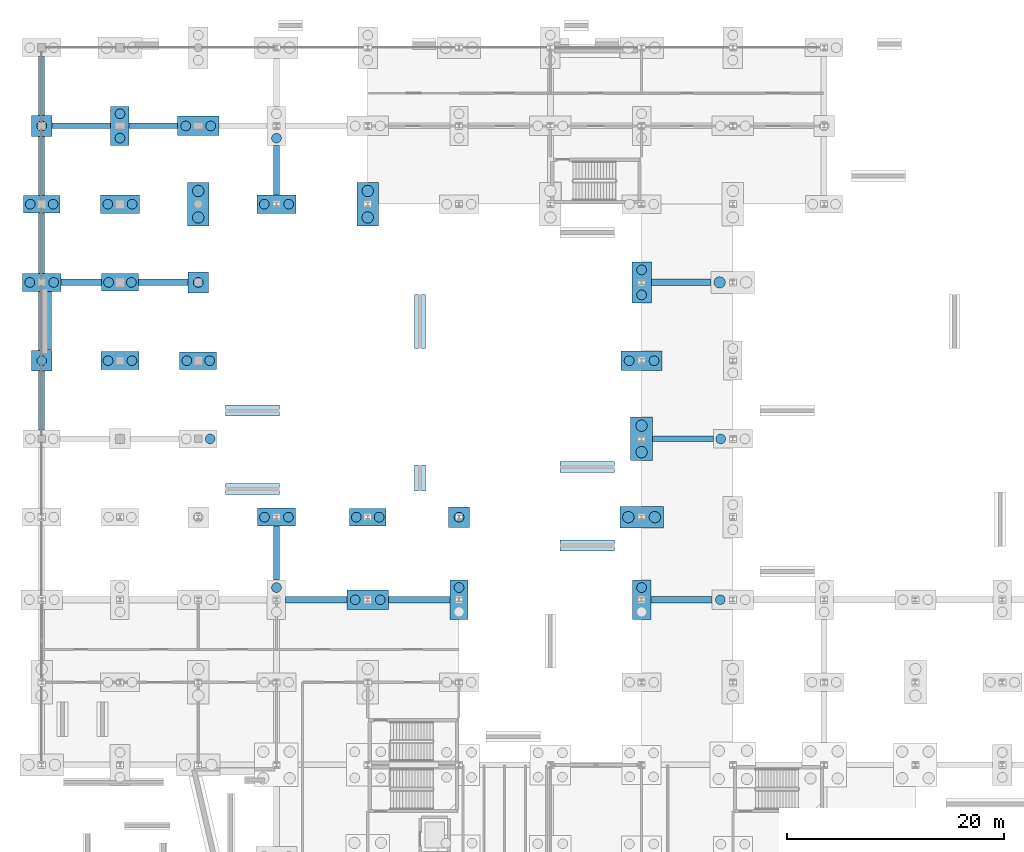
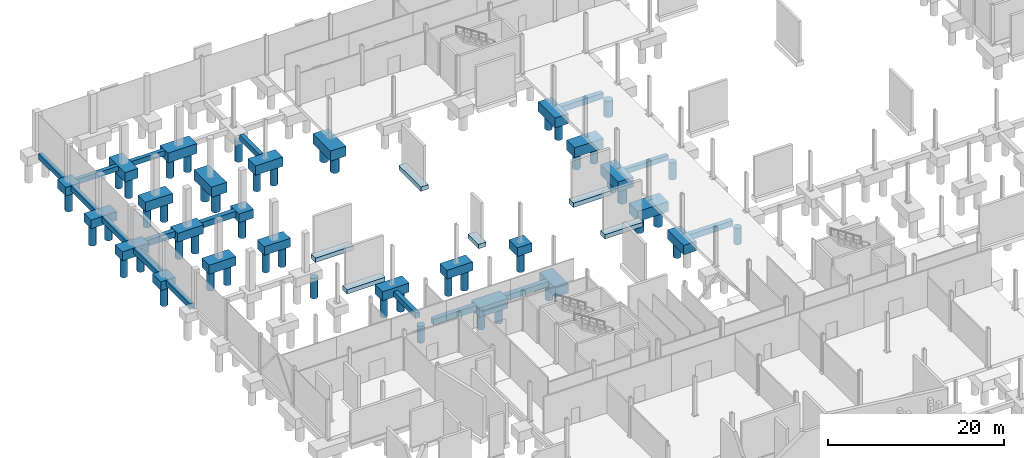
# One storey, part 7 of 61: 48 piles, 47 footings.
"""IFC4 building model written with IfcOpenShell, lengths in metres."""

from ifc_helpers import new_model, si_unit, direction, frame, origin, origin_2d, place, context, subcontext, project, spatial, polyline, rectangle, circle, outline, extrude, material, material_profile, profile_set, type_object, element, save


model = new_model("IFC4")

# Units and contexts
model_context = context("Model", 3, precision=1e-05, world=origin(), true_north=direction((0.0, 1.0)))
body_context = subcontext(model_context, "Body", "Model", "MODEL_VIEW")
ifc_project = project(units=[si_unit("LENGTHUNIT", "METRE"), si_unit("AREAUNIT", "SQUARE_METRE"), si_unit("VOLUMEUNIT", "CUBIC_METRE"), si_unit("PLANEANGLEUNIT", "RADIAN"), si_unit("MASSUNIT", "GRAM", prefix="KILO")], contexts=[model_context])

# Site, building, storey
site_placement = place(None, origin())
site = spatial("IfcSite", under=ifc_project, at=site_placement, CompositionType="ELEMENT")
building_placement = place(site_placement, origin())
building = spatial("IfcBuilding", under=site, at=building_placement, Name="Calvrana Isthmian Art Gallery", CompositionType="ELEMENT")
storey_placement = place(building_placement, frame((0.0, 0.0, -5.39990234375)))
storey = spatial("IfcBuildingStorey", under=building, at=storey_placement, Name="B1", CompositionType="ELEMENT", Elevation=-5.39990234375)

# Footings
ifc_material = material(Name="Concrete C35/45", Category="concrete")
footing_type_1 = type_object("IfcFootingType", Name="FT-PC-170X360X130", PredefinedType="PILE_CAP", material=ifc_material)
for number, where, z_axis, x_axis, name in (
    (1, (7.199951171875, 105.60009765625, -1.30029296875), (0.0, 0.0, 1.0), (1.0, 0.0, 0.0), "Pile cap 02/O"),
    (2, (38.39990234375, 62.0, -1.75), (0.0, 0.0, 1.0), (1.0, 0.0, 0.0), "Pile cap 06/I"),
    (3, (55.199951171875, 62.0, -1.75), (0.0, 0.0, 1.0), (1.0, 0.0, 0.0), "Pile cap 08/I"),
):
    element("IfcFooting", number, at=place(storey_placement, frame(where, z_axis=z_axis, x_axis=x_axis)), inside=storey, type_object=footing_type_1, Name=name, PredefinedType="PILE_CAP", context=body_context, shape_type="SweptSolid", body=[
        extrude(rectangle(XDim=1.699951171875, YDim=3.60009765625, at=origin_2d()), origin(), (0.0, 0.0, 1.0), 1.300048828125),
    ])
footing_type_2 = type_object("IfcFootingType", Name="FT-PC-180X380X135", PredefinedType="PILE_CAP", material=ifc_material)
footing_1_placement = place(storey_placement, frame((55.199951171875, 91.199951171875, -1.800048828125), z_axis=(0.0, 0.0, 1.0), x_axis=(1.0, 0.0, 0.0)))
element("IfcFooting", 4, at=footing_1_placement, inside=storey, type_object=footing_type_2, Name="Pile cap 08/M", PredefinedType="PILE_CAP", context=body_context, shape_type="SweptSolid", body=[
    extrude(rectangle(XDim=1.800048828125, YDim=3.800048828125, at=origin_2d()), origin(), (0.0, 0.0, 1.0), 1.35009765625),
])
footing_type_3 = type_object("IfcFootingType", Name="FT-PC-190X190X120", PredefinedType="PILE_CAP", material=ifc_material)
for number, where, z_axis, x_axis, name in (
    (5, (0.0, 84.0, -1.2001953125), (0.0, 0.0, 1.0), (1.0, 0.0, 0.0), "Pile cap 01/L"),
    (6, (0.0, 105.60009765625, -1.2001953125), (0.0, 0.0, 1.0), (1.0, 0.0, 0.0), "Pile cap 01/O"),
    (7, (14.39990234375, 91.199951171875, -1.2001953125), (0.0, 0.0, 1.0), (1.0, 0.0, 0.0), "Pile cap 03/M"),
    (8, (38.39990234375, 69.60009765625, -1.2001953125), (0.0, 0.0, 1.0), (1.0, 0.0, 0.0), "Pile cap 06/J"),
):
    element("IfcFooting", number, at=place(storey_placement, frame(where, z_axis=z_axis, x_axis=x_axis)), inside=storey, type_object=footing_type_3, Name=name, PredefinedType="PILE_CAP", context=body_context, shape_type="SweptSolid", body=[
        extrude(rectangle(XDim=1.89990234375, YDim=1.89990234375, at=origin_2d()), origin(), (0.0, 0.0, 1.0), 1.199951171875),
    ])
footing_type_4 = type_object("IfcFootingType", Name="FT-PC-200X400X140", PredefinedType="PILE_CAP", material=ifc_material)
for number, where, z_axis, x_axis, name in (
    (9, (14.39990234375, 98.39990234375, -1.400146484375), (0.0, 0.0, 1.0), (1.0, 0.0, 0.0), "Pile cap 03/N"),
    (10, (30.0, 98.39990234375, -1.85009765625), (0.0, 0.0, 1.0), (1.0, 0.0, 0.0), "Pile cap 05/N"),
    (11, (55.199951171875, 76.800048828125, -1.85009765625), (0.0, 0.0, 1.0), (1.0, 0.0, 0.0), "Pile cap 08/K"),
):
    element("IfcFooting", number, at=place(storey_placement, frame(where, z_axis=z_axis, x_axis=x_axis)), inside=storey, type_object=footing_type_4, Name=name, PredefinedType="PILE_CAP", context=body_context, shape_type="SweptSolid", body=[
        extrude(rectangle(XDim=2.0, YDim=4.0, at=origin_2d()), origin(), (0.0, 0.0, 1.0), 1.39990234375),
    ])
footing_type_5 = type_object("IfcFootingType", Name="FT-PC-340X160X120", PredefinedType="PILE_CAP", material=ifc_material)
for number, where, z_axis, x_axis, name in (
    (12, (0.0, 98.39990234375, -1.2001953125), (0.0, 0.0, 1.0), (1.0, 0.0, 0.0), "Pile cap 01/N"),
    (13, (7.199951171875, 91.199951171875, -1.2001953125), (0.0, 0.0, 1.0), (1.0, 0.0, 0.0), "Pile cap 02/M"),
    (14, (14.39990234375, 84.0, -1.2001953125), (0.0, 0.0, 1.0), (1.0, 0.0, 0.0), "Pile cap 03/L"),
    (15, (30.0, 69.60009765625, -1.2001953125), (0.0, 0.0, 1.0), (1.0, 0.0, 0.0), "Pile cap 05/J"),
):
    element("IfcFooting", number, at=place(storey_placement, frame(where, z_axis=z_axis, x_axis=x_axis)), inside=storey, type_object=footing_type_5, Name=name, PredefinedType="PILE_CAP", context=body_context, shape_type="SweptSolid", body=[
        extrude(rectangle(XDim=3.39990234375, YDim=1.60009765625, at=origin_2d()), origin(), (0.0, 0.0, 1.0), 1.199951171875),
    ])
footing_type_6 = type_object("IfcFootingType", Name="FT-PC-350X165X125", PredefinedType="PILE_CAP", material=ifc_material)
for number, where, z_axis, x_axis, name in (
    (16, (0.0, 91.199951171875, -1.25), (0.0, 0.0, 1.0), (1.0, 0.0, 0.0), "Pile cap 01/M"),
    (17, (7.199951171875, 84.0, -1.25), (0.0, 0.0, 1.0), (1.0, 0.0, 0.0), "Pile cap 02/L"),
    (18, (21.60009765625, 69.60009765625, -1.25), (0.0, 0.0, 1.0), (1.0, 0.0, 0.0), "Pile cap 04/J"),
):
    element("IfcFooting", number, at=place(storey_placement, frame(where, z_axis=z_axis, x_axis=x_axis)), inside=storey, type_object=footing_type_6, Name=name, PredefinedType="PILE_CAP", context=body_context, shape_type="SweptSolid", body=[
        extrude(rectangle(XDim=3.5, YDim=1.64990234375, at=origin_2d()), origin(), (0.0, 0.0, 1.0), 1.25),
    ])
footing_type_7 = type_object("IfcFootingType", Name="FT-PC-360X170X130", PredefinedType="PILE_CAP", material=ifc_material)
for number, where, z_axis, x_axis, name in (
    (19, (7.199951171875, 98.39990234375, -1.30029296875), (0.0, 0.0, 1.0), (1.0, 0.0, 0.0), "Pile cap 02/N"),
    (20, (21.60009765625, 98.39990234375, -1.30029296875), (0.0, 0.0, 1.0), (1.0, 0.0, 0.0), "Pile cap 04/N"),
):
    element("IfcFooting", number, at=place(storey_placement, frame(where, z_axis=z_axis, x_axis=x_axis)), inside=storey, type_object=footing_type_7, Name=name, PredefinedType="PILE_CAP", context=body_context, shape_type="SweptSolid", body=[
        extrude(rectangle(XDim=3.60009765625, YDim=1.699951171875, at=origin_2d()), origin(), (0.0, 0.0, 1.0), 1.300048828125),
    ])
footing_type_8 = type_object("IfcFootingType", Name="FT-PC-380X180X135", PredefinedType="PILE_CAP", material=ifc_material)
for number, where, z_axis, x_axis, name in (
    (21, (14.39990234375, 105.60009765625, -1.35009765625), (0.0, 0.0, 1.0), (1.0, 0.0, 0.0), "Pile cap 03/O"),
    (22, (30.0, 62.0, -1.800048828125), (0.0, 0.0, 1.0), (1.0, 0.0, 0.0), "Pile cap 05/I"),
    (23, (55.199951171875, 84.0, -1.800048828125), (0.0, 0.0, 1.0), (1.0, 0.0, 0.0), "Pile cap 08/L"),
):
    element("IfcFooting", number, at=place(storey_placement, frame(where, z_axis=z_axis, x_axis=x_axis)), inside=storey, type_object=footing_type_8, Name=name, PredefinedType="PILE_CAP", context=body_context, shape_type="SweptSolid", body=[
        extrude(rectangle(XDim=3.800048828125, YDim=1.800048828125, at=origin_2d()), origin(), (0.0, 0.0, 1.0), 1.35009765625),
    ])
footing_type_9 = type_object("IfcFootingType", Name="FT-PC-400X200X140", PredefinedType="PILE_CAP", material=ifc_material)
footing_2_placement = place(storey_placement, frame((55.199951171875, 69.60009765625, -1.85009765625), z_axis=(0.0, 0.0, 1.0), x_axis=(1.0, 0.0, 0.0)))
element("IfcFooting", 24, at=footing_2_placement, inside=storey, type_object=footing_type_9, Name="Pile cap 08/J", PredefinedType="PILE_CAP", context=body_context, shape_type="SweptSolid", body=[
    extrude(rectangle(XDim=4.0, YDim=2.0, at=origin_2d()), origin(), (0.0, 0.0, 1.0), 1.39990234375),
])
footing_type_10 = type_object("IfcFootingType", Name="FT-SF-1000X600", PredefinedType="STRIP_FOOTING", material=ifc_material)
footing_3_placement = place(storey_placement, frame((0.0, 0.0, -1.050048828125)))
element("IfcFooting", 25, at=footing_3_placement, inside=storey, type_object=footing_type_10, Name="Apron grade wall SLB_CYD_NC_SW-B strip footing", PredefinedType="STRIP_FOOTING", context=body_context, shape_type="SweptSolid", body=[
    extrude(outline(polyline([(47.699951171875, 66.5), (52.699951171875, 66.5), (52.699951171875, 67.5), (47.699951171875, 67.5), (47.699951171875, 66.5)])), origin(), (0.0, 0.0, 1.0), 0.599853515625),
])
footing_4_placement = place(storey_placement, frame((0.0, 0.0, -1.050048828125)))
element("IfcFooting", 26, at=footing_4_placement, inside=storey, type_object=footing_type_10, Name="Apron grade wall SLB_CYD_NC_MID-A strip footing", PredefinedType="STRIP_FOOTING", context=body_context, shape_type="SweptSolid", body=[
    extrude(outline(polyline([(16.89990234375, 71.699951171875), (21.89990234375, 71.699951171875), (21.89990234375, 72.699951171875), (16.89990234375, 72.699951171875), (16.89990234375, 71.699951171875)])), origin(), (0.0, 0.0, 1.0), 0.599853515625),
])
footing_5_placement = place(storey_placement, frame((0.0, 0.0, -1.050048828125)))
element("IfcFooting", 27, at=footing_5_placement, inside=storey, type_object=footing_type_10, Name="Apron grade wall SLB_CYD_NC_MID-B strip footing", PredefinedType="STRIP_FOOTING", context=body_context, shape_type="SweptSolid", body=[
    extrude(outline(polyline([(47.699951171875, 73.699951171875), (52.699951171875, 73.699951171875), (52.699951171875, 74.699951171875), (47.699951171875, 74.699951171875), (47.699951171875, 73.699951171875)])), origin(), (0.0, 0.0, 1.0), 0.599853515625),
])
footing_6_placement = place(storey_placement, frame((0.0, 0.0, -1.050048828125)))
element("IfcFooting", 28, at=footing_6_placement, inside=storey, type_object=footing_type_10, Name="Apron grade wall SLB_CYD_NC_MID-C strip footing", PredefinedType="STRIP_FOOTING", context=body_context, shape_type="SweptSolid", body=[
    extrude(outline(polyline([(35.300048828125, 72.0), (35.300048828125, 74.39990234375), (34.300048828125, 74.39990234375), (34.300048828125, 72.0), (35.300048828125, 72.0)])), origin(), (0.0, 0.0, 1.0), 0.599853515625),
])
footing_7_placement = place(storey_placement, frame((0.0, 0.0, -1.050048828125)))
element("IfcFooting", 29, at=footing_7_placement, inside=storey, type_object=footing_type_10, Name="Apron grade wall SLB_APR_NWCOURT-A strip footing", PredefinedType="STRIP_FOOTING", context=body_context, shape_type="SweptSolid", body=[
    extrude(outline(polyline([(16.89990234375, 78.89990234375), (21.89990234375, 78.89990234375), (21.89990234375, 79.89990234375), (16.89990234375, 79.89990234375), (16.89990234375, 78.89990234375)])), origin(), (0.0, 0.0, 1.0), 0.599853515625),
])
footing_8_placement = place(storey_placement, frame((0.0, 0.0, -1.050048828125)))
element("IfcFooting", 30, at=footing_8_placement, inside=storey, type_object=footing_type_10, Name="Apron grade wall SLB_APR_NWCOURT-C strip footing", PredefinedType="STRIP_FOOTING", context=body_context, shape_type="SweptSolid", body=[
    extrude(outline(polyline([(35.300048828125, 85.10009765625), (35.300048828125, 90.10009765625), (34.300048828125, 90.10009765625), (34.300048828125, 85.10009765625), (35.300048828125, 85.10009765625)])), origin(), (0.0, 0.0, 1.0), 0.599853515625),
])
footing_type_11 = type_object("IfcFootingType", Name="FT-SF-1200X650", PredefinedType="STRIP_FOOTING", material=ifc_material)
footing_9_placement = place(storey_placement, frame((0.0, 0.0, -1.10009765625)))
element("IfcFooting", 31, at=footing_9_placement, inside=storey, type_object=footing_type_11, Name="Hillside plinth retaining wall RW_B1_WEST_N strip footing", PredefinedType="STRIP_FOOTING", context=body_context, shape_type="SweptSolid", body=[
    extrude(outline(polyline([(0.2900390625, 84.965087890625), (0.2900390625, 90.360107421875), (0.89990234375, 90.360107421875), (0.89990234375, 84.965087890625), (0.2900390625, 84.965087890625)])), origin(), (0.0, 0.0, 1.0), 0.64990234375),
])
footing_type_12 = type_object("IfcFootingType", Name="FT-TB-500X700", PredefinedType="FOOTING_BEAM", material=ifc_material)
footing_10_placement = place(storey_placement, frame((0.0, 0.0, -0.7001953125)))
element("IfcFooting", 32, at=footing_10_placement, inside=storey, type_object=footing_type_12, Name="Footing tie beam X 00-14", PredefinedType="FOOTING_BEAM", context=body_context, shape_type="SweptSolid", body=[
    extrude(outline(polyline([(0.949951171875, 105.35009765625), (6.35009765625, 105.35009765625), (6.35009765625, 105.85009765625), (0.949951171875, 105.85009765625), (0.949951171875, 105.35009765625)])), origin(), (0.0, 0.0, 1.0), 0.7001953125),
])
footing_11_placement = place(storey_placement, frame((0.0, 0.0, -0.7001953125)))
element("IfcFooting", 33, at=footing_11_placement, inside=storey, type_object=footing_type_12, Name="Footing tie beam X 01-14", PredefinedType="FOOTING_BEAM", context=body_context, shape_type="SweptSolid", body=[
    extrude(outline(polyline([(8.050048828125, 105.35009765625), (12.5, 105.35009765625), (12.5, 105.85009765625), (8.050048828125, 105.85009765625), (8.050048828125, 105.35009765625)])), origin(), (0.0, 0.0, 1.0), 0.7001953125),
])
footing_12_placement = place(storey_placement, frame((0.0, 0.0, -1.150146484375)))
element("IfcFooting", 34, at=footing_12_placement, inside=storey, type_object=footing_type_12, Name="Footing tie beam X 07-10", PredefinedType="FOOTING_BEAM", context=body_context, shape_type="SweptSolid", body=[
    extrude(outline(polyline([(56.199951171875, 76.550048828125), (61.800048828125, 76.550048828125), (61.800048828125, 77.050048828125), (56.199951171875, 77.050048828125), (56.199951171875, 76.550048828125)])), origin(), (0.0, 0.0, 1.0), 0.699951171875),
])
footing_type_13 = type_object("IfcFootingType", Name="FT-TB-550X750", PredefinedType="FOOTING_BEAM", material=ifc_material)
footing_13_placement = place(storey_placement, frame((0.0, 0.0, -0.75)))
element("IfcFooting", 35, at=footing_13_placement, inside=storey, type_object=footing_type_13, Name="Footing tie beam Y 00-10", PredefinedType="FOOTING_BEAM", context=body_context, shape_type="SweptSolid", body=[
    extrude(outline(polyline([(-0.27490234375, 77.60009765625), (0.27490234375, 77.60009765625), (0.27490234375, 83.050048828125), (-0.27490234375, 83.050048828125), (-0.27490234375, 77.60009765625)])), origin(), (0.0, 0.0, 1.0), 0.75),
])
footing_14_placement = place(storey_placement, frame((0.0, 0.0, -0.75)))
element("IfcFooting", 36, at=footing_14_placement, inside=storey, type_object=footing_type_13, Name="Footing tie beam Y 00-11", PredefinedType="FOOTING_BEAM", context=body_context, shape_type="SweptSolid", body=[
    extrude(outline(polyline([(-0.27490234375, 84.949951171875), (0.27490234375, 84.949951171875), (0.27490234375, 90.375), (-0.27490234375, 90.375), (-0.27490234375, 84.949951171875)])), origin(), (0.0, 0.0, 1.0), 0.75),
])
footing_15_placement = place(storey_placement, frame((0.0, 0.0, -0.75)))
element("IfcFooting", 37, at=footing_15_placement, inside=storey, type_object=footing_type_13, Name="Footing tie beam Y 00-12", PredefinedType="FOOTING_BEAM", context=body_context, shape_type="SweptSolid", body=[
    extrude(outline(polyline([(-0.27490234375, 92.02490234375), (0.27490234375, 92.02490234375), (0.27490234375, 97.60009765625), (-0.27490234375, 97.60009765625), (-0.27490234375, 92.02490234375)])), origin(), (0.0, 0.0, 1.0), 0.75),
])
footing_16_placement = place(storey_placement, frame((0.0, 0.0, -0.75)))
element("IfcFooting", 38, at=footing_16_placement, inside=storey, type_object=footing_type_13, Name="Footing tie beam Y 00-13", PredefinedType="FOOTING_BEAM", context=body_context, shape_type="SweptSolid", body=[
    extrude(outline(polyline([(-0.27490234375, 99.199951171875), (0.27490234375, 99.199951171875), (0.27490234375, 104.64990234375), (-0.27490234375, 104.64990234375), (-0.27490234375, 99.199951171875)])), origin(), (0.0, 0.0, 1.0), 0.75),
])
footing_17_placement = place(storey_placement, frame((0.0, 0.0, -0.75)))
element("IfcFooting", 39, at=footing_17_placement, inside=storey, type_object=footing_type_13, Name="Footing tie beam Y 00-14", PredefinedType="FOOTING_BEAM", context=body_context, shape_type="SweptSolid", body=[
    extrude(outline(polyline([(-0.27490234375, 106.550048828125), (0.27490234375, 106.550048828125), (0.27490234375, 111.97509765625), (-0.27490234375, 111.97509765625), (-0.27490234375, 106.550048828125)])), origin(), (0.0, 0.0, 1.0), 0.75),
])
footing_18_placement = place(storey_placement, frame((0.0, 0.0, -1.2001953125)))
element("IfcFooting", 40, at=footing_18_placement, inside=storey, type_object=footing_type_13, Name="Footing tie beam Y 03-08", PredefinedType="FOOTING_BEAM", context=body_context, shape_type="SweptSolid", body=[
    extrude(outline(polyline([(21.324951171875, 63.800048828125), (21.875, 63.800048828125), (21.875, 68.77490234375), (21.324951171875, 68.77490234375), (21.324951171875, 63.800048828125)])), origin(), (0.0, 0.0, 1.0), 0.75),
])
footing_19_placement = place(storey_placement, frame((0.0, 0.0, -0.75)))
element("IfcFooting", 41, at=footing_19_placement, inside=storey, type_object=footing_type_13, Name="Footing tie beam Y 03-13", PredefinedType="FOOTING_BEAM", context=body_context, shape_type="SweptSolid", body=[
    extrude(outline(polyline([(21.324951171875, 99.25), (21.875, 99.25), (21.875, 103.800048828125), (21.324951171875, 103.800048828125), (21.324951171875, 99.25)])), origin(), (0.0, 0.0, 1.0), 0.75),
])
footing_type_14 = type_object("IfcFootingType", Name="FT-TB-600X800", PredefinedType="FOOTING_BEAM", material=ifc_material)
footing_20_placement = place(storey_placement, frame((0.0, 0.0, -0.800048828125)))
element("IfcFooting", 42, at=footing_20_placement, inside=storey, type_object=footing_type_14, Name="Footing tie beam X 00-12", PredefinedType="FOOTING_BEAM", context=body_context, shape_type="SweptSolid", body=[
    extrude(outline(polyline([(1.75, 90.89990234375), (5.5, 90.89990234375), (5.5, 91.5), (1.75, 91.5), (1.75, 90.89990234375)])), origin(), (0.0, 0.0, 1.0), 0.800048828125),
])
footing_21_placement = place(storey_placement, frame((0.0, 0.0, -0.800048828125)))
element("IfcFooting", 43, at=footing_21_placement, inside=storey, type_object=footing_type_14, Name="Footing tie beam X 01-12", PredefinedType="FOOTING_BEAM", context=body_context, shape_type="SweptSolid", body=[
    extrude(outline(polyline([(8.89990234375, 90.89990234375), (13.449951171875, 90.89990234375), (13.449951171875, 91.5), (8.89990234375, 91.5), (8.89990234375, 90.89990234375)])), origin(), (0.0, 0.0, 1.0), 0.800048828125),
])
footing_22_placement = place(storey_placement, frame((0.0, 0.0, -1.25)))
element("IfcFooting", 44, at=footing_22_placement, inside=storey, type_object=footing_type_14, Name="Footing tie beam X 03-08", PredefinedType="FOOTING_BEAM", context=body_context, shape_type="SweptSolid", body=[
    extrude(outline(polyline([(22.449951171875, 61.699951171875), (28.10009765625, 61.699951171875), (28.10009765625, 62.300048828125), (22.449951171875, 62.300048828125), (22.449951171875, 61.699951171875)])), origin(), (0.0, 0.0, 1.0), 0.7998046875),
])
footing_23_placement = place(storey_placement, frame((0.0, 0.0, -1.25)))
element("IfcFooting", 45, at=footing_23_placement, inside=storey, type_object=footing_type_14, Name="Footing tie beam X 04-08", PredefinedType="FOOTING_BEAM", context=body_context, shape_type="SweptSolid", body=[
    extrude(outline(polyline([(31.89990234375, 61.699951171875), (37.550048828125, 61.699951171875), (37.550048828125, 62.300048828125), (31.89990234375, 62.300048828125), (31.89990234375, 61.699951171875)])), origin(), (0.0, 0.0, 1.0), 0.7998046875),
])
footing_24_placement = place(storey_placement, frame((0.0, 0.0, -1.25)))
element("IfcFooting", 46, at=footing_24_placement, inside=storey, type_object=footing_type_14, Name="Footing tie beam X 07-08", PredefinedType="FOOTING_BEAM", context=body_context, shape_type="SweptSolid", body=[
    extrude(outline(polyline([(56.050048828125, 61.699951171875), (61.699951171875, 61.699951171875), (61.699951171875, 62.300048828125), (56.050048828125, 62.300048828125), (56.050048828125, 61.699951171875)])), origin(), (0.0, 0.0, 1.0), 0.7998046875),
])
footing_25_placement = place(storey_placement, frame((0.0, 0.0, -1.25)))
element("IfcFooting", 47, at=footing_25_placement, inside=storey, type_object=footing_type_14, Name="Footing tie beam X 07-12", PredefinedType="FOOTING_BEAM", context=body_context, shape_type="SweptSolid", body=[
    extrude(outline(polyline([(56.10009765625, 90.89990234375), (61.60009765625, 90.89990234375), (61.60009765625, 91.5), (56.10009765625, 91.5), (56.10009765625, 90.89990234375)])), origin(), (0.0, 0.0, 1.0), 0.7998046875),
])

# Piles
ifc_material_profile_1 = material_profile(ifc_material, circle(Radius=0.52490234375, at=origin_2d()), Name="PILE1050D")
ifc_profile_set_1 = profile_set([ifc_material_profile_1], Name="Concrete C35/45")
pile_type_1 = type_object("IfcPileType", Name="PILE-D1050", PredefinedType="BORED", material=ifc_profile_set_1)
for number, where, z_axis, x_axis, name in (
    (48, (14.39990234375, 97.179931640625, -1.300048828125), (0.0, 0.0, -1.0), (1.0, 0.0, 0.0), "Bored pile PL-050"),
    (49, (14.39990234375, 99.6201171875, -1.300048828125), (0.0, 0.0, -1.0), (1.0, 0.0, 0.0), "Bored pile PL-051"),
):
    element("IfcPile", number, at=place(storey_placement, frame(where, z_axis=z_axis, x_axis=x_axis)), inside=storey, type_object=pile_type_1, Name=name, PredefinedType="BORED", context=body_context, shape_type="SweptSolid", body=[
        extrude(circle(Radius=0.52490234375, at=origin_2d()), origin(), (0.0, 0.0, 1.0), 2.699951171875),
    ])
for number, where, z_axis, x_axis, name in (
    (50, (30.0, 97.179931640625, -1.75), (0.0, 0.0, -1.0), (1.0, 0.0, 0.0), "Bored pile PL-100"),
    (51, (30.0, 99.6201171875, -1.75), (0.0, 0.0, -1.0), (1.0, 0.0, 0.0), "Bored pile PL-101"),
    (52, (53.97998046875, 69.60009765625, -1.75), (0.0, 0.0, -1.0), (1.0, 0.0, 0.0), "Bored pile PL-171"),
    (53, (56.419921875, 69.60009765625, -1.75), (0.0, 0.0, -1.0), (1.0, 0.0, 0.0), "Bored pile PL-172"),
    (54, (55.199951171875, 75.580078125, -1.75), (0.0, 0.0, -1.0), (1.0, 0.0, 0.0), "Bored pile PL-173"),
    (55, (55.199951171875, 78.02001953125, -1.75), (0.0, 0.0, -1.0), (1.0, 0.0, 0.0), "Bored pile PL-174"),
    (56, (62.3798828125, 91.199951171875, -1.75), (0.0, 0.0, -1.0), (1.0, 0.0, 0.0), "Bored pile PL-216"),
):
    element("IfcPile", number, at=place(storey_placement, frame(where, z_axis=z_axis, x_axis=x_axis)), inside=storey, type_object=pile_type_1, Name=name, PredefinedType="BORED", context=body_context, shape_type="SweptSolid", body=[
        extrude(circle(Radius=0.52490234375, at=origin_2d()), origin(), (0.0, 0.0, 1.0), 2.25),
    ])
ifc_material_profile_2 = material_profile(ifc_material, circle(Radius=0.449951171875, at=origin_2d()), Name="PILE900D")
ifc_profile_set_2 = profile_set([ifc_material_profile_2], Name="Concrete C35/45")
pile_type_2 = type_object("IfcPileType", Name="PILE-D900", PredefinedType="BORED", material=ifc_profile_set_2)
pile_1_placement = place(storey_placement, frame((0.0, 84.0, -1.10009765625), z_axis=(0.0, 0.0, -1.0), x_axis=(1.0, 0.0, 0.0)))
element("IfcPile", 57, at=pile_1_placement, inside=storey, type_object=pile_type_2, Name="Bored pile PL-011", PredefinedType="BORED", context=body_context, shape_type="SweptSolid", body=[
    extrude(circle(Radius=0.449951171875, at=origin_2d()), origin(), (0.0, 0.0, 1.0), 2.89990234375),
])
for number, where, z_axis, x_axis, name in (
    (58, (-1.10009765625, 91.199951171875, -1.150146484375), (0.0, 0.0, -1.0), (1.0, 0.0, 0.0), "Bored pile PL-012"),
    (59, (1.10009765625, 91.199951171875, -1.150146484375), (0.0, 0.0, -1.0), (1.0, 0.0, 0.0), "Bored pile PL-013"),
):
    element("IfcPile", number, at=place(storey_placement, frame(where, z_axis=z_axis, x_axis=x_axis)), inside=storey, type_object=pile_type_2, Name=name, PredefinedType="BORED", context=body_context, shape_type="SweptSolid", body=[
        extrude(circle(Radius=0.449951171875, at=origin_2d()), origin(), (0.0, 0.0, 1.0), 2.85009765625),
    ])
for number, where, z_axis, x_axis, name in (
    (60, (-1.050048828125, 98.39990234375, -1.10009765625), (0.0, 0.0, -1.0), (1.0, 0.0, 0.0), "Bored pile PL-014"),
    (61, (1.050048828125, 98.39990234375, -1.10009765625), (0.0, 0.0, -1.0), (1.0, 0.0, 0.0), "Bored pile PL-015"),
    (62, (0.0, 105.60009765625, -1.10009765625), (0.0, 0.0, -1.0), (1.0, 0.0, 0.0), "Bored pile PL-016"),
):
    element("IfcPile", number, at=place(storey_placement, frame(where, z_axis=z_axis, x_axis=x_axis)), inside=storey, type_object=pile_type_2, Name=name, PredefinedType="BORED", context=body_context, shape_type="SweptSolid", body=[
        extrude(circle(Radius=0.449951171875, at=origin_2d()), origin(), (0.0, 0.0, 1.0), 2.89990234375),
    ])
for number, where, z_axis, x_axis, name in (
    (63, (6.10009765625, 84.0, -1.150146484375), (0.0, 0.0, -1.0), (1.0, 0.0, 0.0), "Bored pile PL-028"),
    (64, (8.300048828125, 84.0, -1.150146484375), (0.0, 0.0, -1.0), (1.0, 0.0, 0.0), "Bored pile PL-029"),
):
    element("IfcPile", number, at=place(storey_placement, frame(where, z_axis=z_axis, x_axis=x_axis)), inside=storey, type_object=pile_type_2, Name=name, PredefinedType="BORED", context=body_context, shape_type="SweptSolid", body=[
        extrude(circle(Radius=0.449951171875, at=origin_2d()), origin(), (0.0, 0.0, 1.0), 2.85009765625),
    ])
for number, where, z_axis, x_axis, name in (
    (65, (6.14990234375, 91.199951171875, -1.10009765625), (0.0, 0.0, -1.0), (1.0, 0.0, 0.0), "Bored pile PL-030"),
    (66, (8.25, 91.199951171875, -1.10009765625), (0.0, 0.0, -1.0), (1.0, 0.0, 0.0), "Bored pile PL-031"),
):
    element("IfcPile", number, at=place(storey_placement, frame(where, z_axis=z_axis, x_axis=x_axis)), inside=storey, type_object=pile_type_2, Name=name, PredefinedType="BORED", context=body_context, shape_type="SweptSolid", body=[
        extrude(circle(Radius=0.449951171875, at=origin_2d()), origin(), (0.0, 0.0, 1.0), 2.89990234375),
    ])
for number, where, z_axis, x_axis, name in (
    (67, (6.080078125, 98.39990234375, -1.2001953125), (0.0, 0.0, -1.0), (1.0, 0.0, 0.0), "Bored pile PL-032"),
    (68, (8.320068359375, 98.39990234375, -1.2001953125), (0.0, 0.0, -1.0), (1.0, 0.0, 0.0), "Bored pile PL-033"),
    (69, (7.199951171875, 104.47998046875, -1.2001953125), (0.0, 0.0, -1.0), (1.0, 0.0, 0.0), "Bored pile PL-034"),
    (70, (7.199951171875, 106.719970703125, -1.2001953125), (0.0, 0.0, -1.0), (1.0, 0.0, 0.0), "Bored pile PL-035"),
):
    element("IfcPile", number, at=place(storey_placement, frame(where, z_axis=z_axis, x_axis=x_axis)), inside=storey, type_object=pile_type_2, Name=name, PredefinedType="BORED", context=body_context, shape_type="SweptSolid", body=[
        extrude(circle(Radius=0.449951171875, at=origin_2d()), origin(), (0.0, 0.0, 1.0), 2.800048828125),
    ])
pile_2_placement = place(storey_placement, frame((15.5, 76.800048828125, -1.150146484375), z_axis=(0.0, 0.0, -1.0), x_axis=(1.0, 0.0, 0.0)))
element("IfcPile", 71, at=pile_2_placement, inside=storey, type_object=pile_type_2, Name="Bored pile PL-046", PredefinedType="BORED", context=body_context, shape_type="SweptSolid", body=[
    extrude(circle(Radius=0.449951171875, at=origin_2d()), origin(), (0.0, 0.0, 1.0), 2.85009765625),
])
for number, where, z_axis, x_axis, name in (
    (72, (13.35009765625, 84.0, -1.10009765625), (0.0, 0.0, -1.0), (1.0, 0.0, 0.0), "Bored pile PL-047"),
    (73, (15.449951171875, 84.0, -1.10009765625), (0.0, 0.0, -1.0), (1.0, 0.0, 0.0), "Bored pile PL-048"),
    (74, (14.39990234375, 91.199951171875, -1.10009765625), (0.0, 0.0, -1.0), (1.0, 0.0, 0.0), "Bored pile PL-049"),
):
    element("IfcPile", number, at=place(storey_placement, frame(where, z_axis=z_axis, x_axis=x_axis)), inside=storey, type_object=pile_type_2, Name=name, PredefinedType="BORED", context=body_context, shape_type="SweptSolid", body=[
        extrude(circle(Radius=0.449951171875, at=origin_2d()), origin(), (0.0, 0.0, 1.0), 2.89990234375),
    ])
for number, where, z_axis, x_axis, name in (
    (75, (13.25, 105.60009765625, -1.25), (0.0, 0.0, -1.0), (1.0, 0.0, 0.0), "Bored pile PL-052"),
    (76, (15.550048828125, 105.60009765625, -1.25), (0.0, 0.0, -1.0), (1.0, 0.0, 0.0), "Bored pile PL-053"),
):
    element("IfcPile", number, at=place(storey_placement, frame(where, z_axis=z_axis, x_axis=x_axis)), inside=storey, type_object=pile_type_2, Name=name, PredefinedType="BORED", context=body_context, shape_type="SweptSolid", body=[
        extrude(circle(Radius=0.449951171875, at=origin_2d()), origin(), (0.0, 0.0, 1.0), 2.75),
    ])
pile_3_placement = place(storey_placement, frame((21.60009765625, 63.1201171875, -1.650146484375), z_axis=(0.0, 0.0, -1.0), x_axis=(1.0, 0.0, 0.0)))
element("IfcPile", 77, at=pile_3_placement, inside=storey, type_object=pile_type_2, Name="Bored pile PL-071", PredefinedType="BORED", context=body_context, shape_type="SweptSolid", body=[
    extrude(circle(Radius=0.449951171875, at=origin_2d()), origin(), (0.0, 0.0, 1.0), 2.35009765625),
])
for number, where, z_axis, x_axis, name in (
    (78, (20.5, 69.60009765625, -1.150146484375), (0.0, 0.0, -1.0), (1.0, 0.0, 0.0), "Bored pile PL-072"),
    (79, (22.699951171875, 69.60009765625, -1.150146484375), (0.0, 0.0, -1.0), (1.0, 0.0, 0.0), "Bored pile PL-073"),
):
    element("IfcPile", number, at=place(storey_placement, frame(where, z_axis=z_axis, x_axis=x_axis)), inside=storey, type_object=pile_type_2, Name=name, PredefinedType="BORED", context=body_context, shape_type="SweptSolid", body=[
        extrude(circle(Radius=0.449951171875, at=origin_2d()), origin(), (0.0, 0.0, 1.0), 2.85009765625),
    ])
for number, where, z_axis, x_axis, name in (
    (80, (20.47998046875, 98.39990234375, -1.2001953125), (0.0, 0.0, -1.0), (1.0, 0.0, 0.0), "Bored pile PL-074"),
    (81, (22.719970703125, 98.39990234375, -1.2001953125), (0.0, 0.0, -1.0), (1.0, 0.0, 0.0), "Bored pile PL-075"),
    (82, (21.60009765625, 104.47998046875, -1.2001953125), (0.0, 0.0, -1.0), (1.0, 0.0, 0.0), "Bored pile PL-076"),
):
    element("IfcPile", number, at=place(storey_placement, frame(where, z_axis=z_axis, x_axis=x_axis)), inside=storey, type_object=pile_type_2, Name=name, PredefinedType="BORED", context=body_context, shape_type="SweptSolid", body=[
        extrude(circle(Radius=0.449951171875, at=origin_2d()), origin(), (0.0, 0.0, 1.0), 2.800048828125),
    ])
for number, where, z_axis, x_axis, name in (
    (83, (28.85009765625, 62.0, -1.7001953125), (0.0, 0.0, -1.0), (1.0, 0.0, 0.0), "Bored pile PL-096"),
    (84, (31.14990234375, 62.0, -1.7001953125), (0.0, 0.0, -1.0), (1.0, 0.0, 0.0), "Bored pile PL-097"),
):
    element("IfcPile", number, at=place(storey_placement, frame(where, z_axis=z_axis, x_axis=x_axis)), inside=storey, type_object=pile_type_2, Name=name, PredefinedType="BORED", context=body_context, shape_type="SweptSolid", body=[
        extrude(circle(Radius=0.449951171875, at=origin_2d()), origin(), (0.0, 0.0, 1.0), 2.300048828125),
    ])
for number, where, z_axis, x_axis, name in (
    (85, (28.949951171875, 69.60009765625, -1.10009765625), (0.0, 0.0, -1.0), (1.0, 0.0, 0.0), "Bored pile PL-098"),
    (86, (31.050048828125, 69.60009765625, -1.10009765625), (0.0, 0.0, -1.0), (1.0, 0.0, 0.0), "Bored pile PL-099"),
):
    element("IfcPile", number, at=place(storey_placement, frame(where, z_axis=z_axis, x_axis=x_axis)), inside=storey, type_object=pile_type_2, Name=name, PredefinedType="BORED", context=body_context, shape_type="SweptSolid", body=[
        extrude(circle(Radius=0.449951171875, at=origin_2d()), origin(), (0.0, 0.0, 1.0), 2.89990234375),
    ])
pile_4_placement = place(storey_placement, frame((38.39990234375, 63.1201171875, -1.650146484375), z_axis=(0.0, 0.0, -1.0), x_axis=(1.0, 0.0, 0.0)))
element("IfcPile", 87, at=pile_4_placement, inside=storey, type_object=pile_type_2, Name="Bored pile PL-123", PredefinedType="BORED", context=body_context, shape_type="SweptSolid", body=[
    extrude(circle(Radius=0.449951171875, at=origin_2d()), origin(), (0.0, 0.0, 1.0), 2.35009765625),
])
pile_5_placement = place(storey_placement, frame((38.39990234375, 69.60009765625, -1.10009765625), z_axis=(0.0, 0.0, -1.0), x_axis=(1.0, 0.0, 0.0)))
element("IfcPile", 88, at=pile_5_placement, inside=storey, type_object=pile_type_2, Name="Bored pile PL-124", PredefinedType="BORED", context=body_context, shape_type="SweptSolid", body=[
    extrude(circle(Radius=0.449951171875, at=origin_2d()), origin(), (0.0, 0.0, 1.0), 2.89990234375),
])
pile_6_placement = place(storey_placement, frame((55.199951171875, 63.1201171875, -1.650146484375), z_axis=(0.0, 0.0, -1.0), x_axis=(1.0, 0.0, 0.0)))
element("IfcPile", 89, at=pile_6_placement, inside=storey, type_object=pile_type_2, Name="Bored pile PL-170", PredefinedType="BORED", context=body_context, shape_type="SweptSolid", body=[
    extrude(circle(Radius=0.449951171875, at=origin_2d()), origin(), (0.0, 0.0, 1.0), 2.35009765625),
])
for number, where, z_axis, x_axis, name in (
    (90, (54.050048828125, 84.0, -1.7001953125), (0.0, 0.0, -1.0), (1.0, 0.0, 0.0), "Bored pile PL-175"),
    (91, (56.35009765625, 84.0, -1.7001953125), (0.0, 0.0, -1.0), (1.0, 0.0, 0.0), "Bored pile PL-176"),
    (92, (55.199951171875, 90.050048828125, -1.7001953125), (0.0, 0.0, -1.0), (1.0, 0.0, 0.0), "Bored pile PL-177"),
    (93, (55.199951171875, 92.35009765625, -1.7001953125), (0.0, 0.0, -1.0), (1.0, 0.0, 0.0), "Bored pile PL-178"),
    (94, (62.449951171875, 62.0, -1.7001953125), (0.0, 0.0, -1.0), (1.0, 0.0, 0.0), "Bored pile PL-208"),
):
    element("IfcPile", number, at=place(storey_placement, frame(where, z_axis=z_axis, x_axis=x_axis)), inside=storey, type_object=pile_type_2, Name=name, PredefinedType="BORED", context=body_context, shape_type="SweptSolid", body=[
        extrude(circle(Radius=0.449951171875, at=origin_2d()), origin(), (0.0, 0.0, 1.0), 2.300048828125),
    ])
pile_7_placement = place(storey_placement, frame((62.47998046875, 76.800048828125, -1.650146484375), z_axis=(0.0, 0.0, -1.0), x_axis=(1.0, 0.0, 0.0)))
element("IfcPile", 95, at=pile_7_placement, inside=storey, type_object=pile_type_2, Name="Bored pile PL-212", PredefinedType="BORED", context=body_context, shape_type="SweptSolid", body=[
    extrude(circle(Radius=0.449951171875, at=origin_2d()), origin(), (0.0, 0.0, 1.0), 2.35009765625),
])

save(model, "model.ifc")
